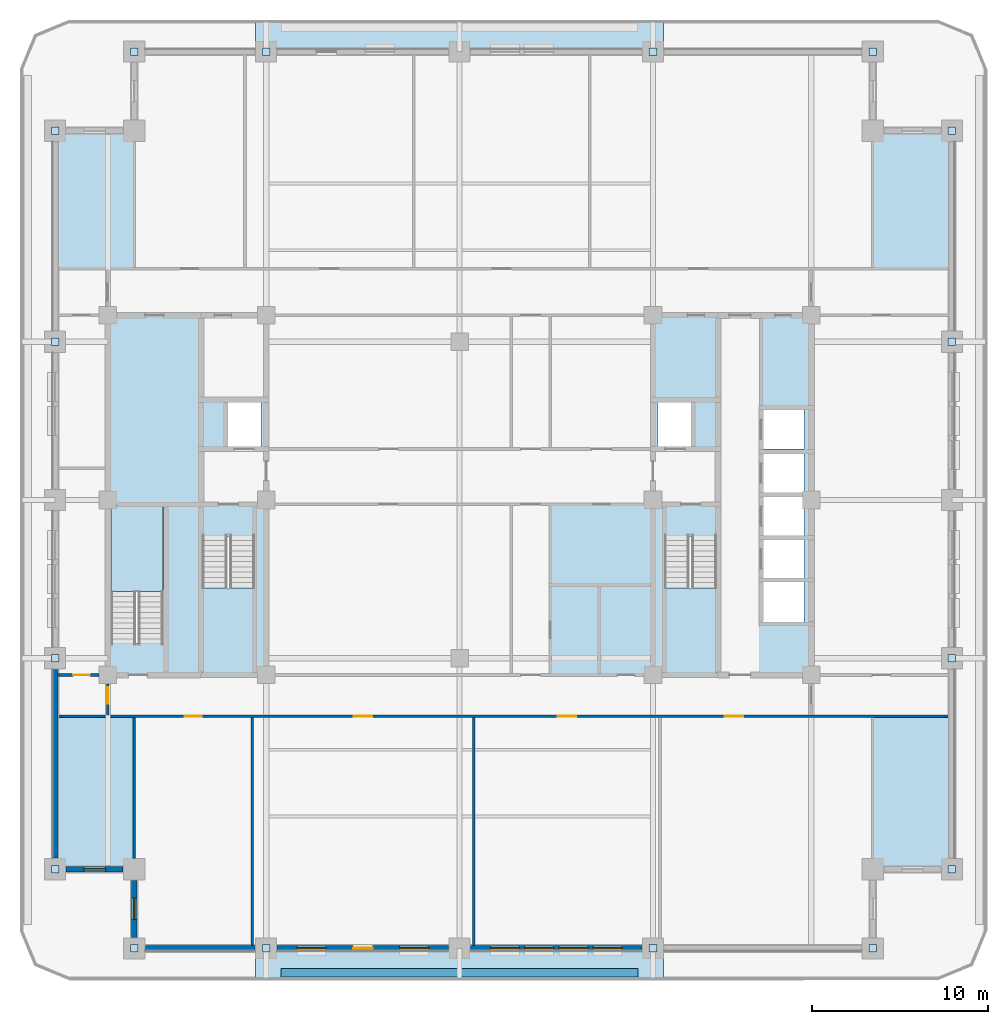
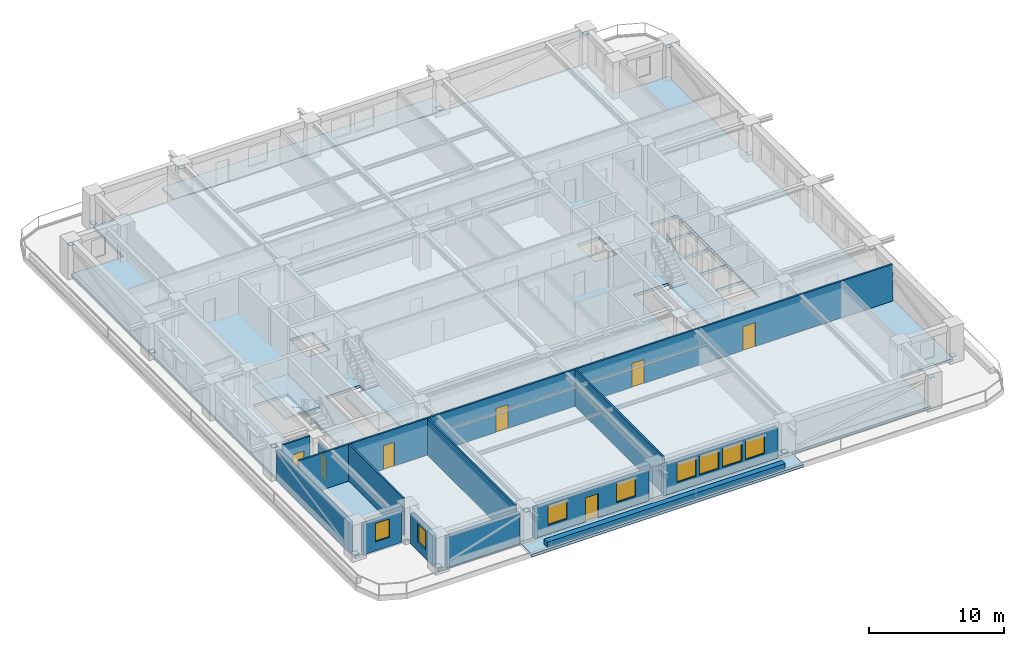
# One storey, part 2 of 13: 16 plates, 13 walls, 8 windows, 7 doors, 6 slabs, 15 openings, 3 elements without a shape of their own.
"""IFC4 building model written with IfcOpenShell, lengths in metres."""

from ifc_helpers import new_model, si_unit, direction, frame, frame_2d, origin, origin_2d, place, context, subcontext, project, spatial, polyline, rectangle, outline, extrude, material, layer, layer_set, type_object, element, fill, aggregate, save


model = new_model("IFC4")

# Units and contexts
model_context = context("Model", 3, precision=1e-05, world=origin(), true_north=direction((0.0, 1.0)))
body_context = subcontext(model_context, "Body", "Model", "MODEL_VIEW")
ifc_project = project(units=[si_unit("LENGTHUNIT", "METRE"), si_unit("AREAUNIT", "SQUARE_METRE"), si_unit("VOLUMEUNIT", "CUBIC_METRE"), si_unit("PLANEANGLEUNIT", "RADIAN"), si_unit("MASSUNIT", "GRAM", prefix="KILO")], contexts=[model_context])

# Site, building, storey
site_placement = place(None, origin())
site = spatial("IfcSite", under=ifc_project, at=site_placement, CompositionType="ELEMENT")
building_placement = place(site_placement, origin())
building = spatial("IfcBuilding", under=site, at=building_placement, Name="Zulmaris Gate Convention Tower", CompositionType="ELEMENT")
storey_placement = place(building_placement, frame((0.0, 0.0, 105.639892578125)))
storey = spatial("IfcBuildingStorey", under=building, at=storey_placement, Name="L26", CompositionType="ELEMENT", Elevation=105.639892578125)

# Plates
ifc_material_1 = material(Name="Steel S460", Category="steel")
ifc_layer_1 = layer(ifc_material_1, 0.02490234375, Name="Steel S460")
ifc_layer_set_1 = layer_set([ifc_layer_1], Name="Steel S460")
plate_type = type_object("IfcPlateType", Name="NP-CAP-440", PredefinedType="USERDEFINED", material=ifc_layer_set_1)
for number, where, z_axis, x_axis, name in (
    (1, (-23.0, -21.0, 0.28759765625), (0.0, 0.0, 1.0), (1.0, 0.0, 0.0), "L26 Steel Node Plate PBR-L26-SW-W-CAP"),
    (2, (-23.0, -9.0, 2.687744140625), (0.0, 0.0, 1.0), (1.0, 0.0, 0.0), "L26 Steel Node Plate PBR-L26-SW-W-CAPB"),
    (3, (-23.0, 9.0, 0.28759765625), (0.0, 0.0, 1.0), (1.0, 0.0, 0.0), "L26 Steel Node Plate PBR-L26-NW-W-CAP"),
    (4, (-23.0, 21.0, 2.687744140625), (0.0, 0.0, 1.0), (1.0, 0.0, 0.0), "L26 Steel Node Plate PBR-L26-NW-W-CAPB"),
    (5, (28.0, -21.0, 0.28759765625), (0.0, 0.0, 1.0), (1.0, 0.0, 0.0), "L26 Steel Node Plate PBR-L26-SE-E-CAP"),
    (6, (28.0, -9.0, 2.687744140625), (0.0, 0.0, 1.0), (1.0, 0.0, 0.0), "L26 Steel Node Plate PBR-L26-SE-E-CAPB"),
    (7, (28.0, 9.0, 0.28759765625), (0.0, 0.0, 1.0), (1.0, 0.0, 0.0), "L26 Steel Node Plate PBR-L26-NE-E-CAP"),
    (8, (28.0, 21.0, 2.687744140625), (0.0, 0.0, 1.0), (1.0, 0.0, 0.0), "L26 Steel Node Plate PBR-L26-NE-E-CAPB"),
    (9, (-18.5, -25.5, 0.28759765625), (0.0, 0.0, 1.0), (1.0, 0.0, 0.0), "L26 Steel Node Plate PBR-L26-SW-S-CAP"),
    (10, (-11.0, -25.5, 2.687744140625), (0.0, 0.0, 1.0), (1.0, 0.0, 0.0), "L26 Steel Node Plate PBR-L26-SW-S-CAPB"),
    (11, (11.0, -25.5, 0.28759765625), (0.0, 0.0, 1.0), (1.0, 0.0, 0.0), "L26 Steel Node Plate PBR-L26-SE-S-CAP"),
    (12, (23.5, -25.5, 2.687744140625), (0.0, 0.0, 1.0), (1.0, 0.0, 0.0), "L26 Steel Node Plate PBR-L26-SE-S-CAPB"),
    (13, (-18.5, 25.5, 0.28759765625), (0.0, 0.0, 1.0), (1.0, 0.0, 0.0), "L26 Steel Node Plate PBR-L26-NW-N-CAP"),
    (14, (-11.0, 25.5, 2.687744140625), (0.0, 0.0, 1.0), (1.0, 0.0, 0.0), "L26 Steel Node Plate PBR-L26-NW-N-CAPB"),
    (15, (11.0, 25.5, 0.28759765625), (0.0, 0.0, 1.0), (1.0, 0.0, 0.0), "L26 Steel Node Plate PBR-L26-NE-N-CAP"),
    (16, (23.5, 25.5, 2.687744140625), (0.0, 0.0, 1.0), (1.0, 0.0, 0.0), "L26 Steel Node Plate PBR-L26-NE-N-CAPB"),
):
    element("IfcPlate", number, at=place(storey_placement, frame(where, z_axis=z_axis, x_axis=x_axis)), inside=storey, type_object=plate_type, Name=name, ObjectType="FLANGE PLATE", PredefinedType="USERDEFINED", context=body_context, shape_type="SweptSolid", body=[
        extrude(rectangle(XDim=0.43994140625, YDim=0.43994140625, at=origin_2d()), origin(), (0.0, 0.0, 1.0), 0.02490234375),
    ])

# Slabs
ifc_material_2 = material(Name="Precast concrete C50/60", Category="concrete")
ifc_layer_2 = layer(ifc_material_2, 0.260009765625, Name="Precast concrete C50/60")
ifc_layer_set_2 = layer_set([ifc_layer_2], Name="Precast concrete C50/60")
slab_type_1 = type_object("IfcSlabType", Name="SL-BAL-260", PredefinedType="FLOOR", material=ifc_layer_set_2)
slab_1_placement = place(storey_placement, frame((0.0, 0.0, -0.25)))
element("IfcSlab", 17, at=slab_1_placement, inside=storey, type_object=slab_type_1, Name="L26 South Tree-Balcony Planter Slab", PredefinedType="FLOOR", context=body_context, shape_type="SweptSolid", body=[
    extrude(outline(polyline([(-11.597900390625, -27.300048828125), (-11.597900390625, -25.5), (11.597900390625, -25.5), (11.597900390625, -27.300048828125), (-11.597900390625, -27.300048828125)])), origin(), (0.0, 0.0, 1.0), 0.260009765625),
])
slab_2_placement = place(storey_placement, frame((0.0, 0.0, -0.25)))
element("IfcSlab", 18, at=slab_2_placement, inside=storey, type_object=slab_type_1, Name="L26 North Tree-Balcony Planter Slab", PredefinedType="FLOOR", context=body_context, shape_type="SweptSolid", body=[
    extrude(outline(polyline([(11.597900390625, 27.300048828125), (11.597900390625, 25.5), (-11.597900390625, 25.5), (-11.597900390625, 27.300048828125), (11.597900390625, 27.300048828125)])), origin(), (0.0, 0.0, 1.0), 0.260009765625),
])
ifc_material_3 = material(Name="Concrete C50/60", Category="concrete")
ifc_layer_3 = layer(ifc_material_3, 0.25, Name="Concrete C50/60")
ifc_layer_set_3 = layer_set([ifc_layer_3], Name="Concrete C50/60")
slab_type_2 = type_object("IfcSlabType", Name="SL-FLR-250", PredefinedType="FLOOR", material=ifc_layer_set_3)
slab_3_placement = place(storey_placement, frame((0.0, 0.0, -0.25)))
element("IfcSlab", 19, at=slab_3_placement, inside=storey, type_object=slab_type_2, Name="L26 Shifted Notched-Square Structural Floor Slab", PredefinedType="FLOOR", context=body_context, shape_type="SweptSolid", body=[
    extrude(outline(polyline([(-18.5, -25.5), (23.5, -25.5), (23.5, -21.0), (28.0, -21.0), (28.0, 21.0), (23.5, 21.0), (23.5, 25.5), (-18.5, 25.5), (-18.5, 21.0), (-23.0, 21.0), (-23.0, -21.0), (-18.5, -21.0), (-18.5, -25.5)]), holes=[polyline([(-14.6201171875, -2.080078125), (-14.6201171875, -9.85009765625), (-11.659912109375, -9.85009765625), (-11.659912109375, -2.080078125), (-14.6201171875, -2.080078125)]), polyline([(11.659912109375, -2.080078125), (11.659912109375, -9.85009765625), (14.6201171875, -9.85009765625), (14.6201171875, -2.080078125), (11.659912109375, -2.080078125)]), polyline([(-16.860107421875, -8.1201171875), (-16.860107421875, -0.35009765625), (-19.820068359375, -0.35009765625), (-19.820068359375, -8.1201171875), (-16.860107421875, -8.1201171875)]), polyline([(-13.199951171875, 3.0), (-11.300048828125, 3.0), (-11.300048828125, 5.60009765625), (-13.199951171875, 5.60009765625), (-13.199951171875, 3.0)]), polyline([(11.300048828125, 3.0), (13.199951171875, 3.0), (13.199951171875, 5.60009765625), (11.300048828125, 5.60009765625), (11.300048828125, 3.0)]), polyline([(17.199951171875, -7.0), (19.60009765625, -7.0), (19.60009765625, -4.60009765625), (17.199951171875, -4.60009765625), (17.199951171875, -7.0)]), polyline([(17.300048828125, -4.5), (19.60009765625, -4.5), (19.60009765625, -2.199951171875), (17.300048828125, -2.199951171875), (17.300048828125, -4.5)]), polyline([(17.300048828125, -2.10009765625), (19.60009765625, -2.10009765625), (19.60009765625, 0.199951171875), (17.300048828125, 0.199951171875), (17.300048828125, -2.10009765625)]), polyline([(17.300048828125, 0.39990234375), (19.60009765625, 0.39990234375), (19.60009765625, 2.699951171875), (17.300048828125, 2.699951171875), (17.300048828125, 0.39990234375)]), polyline([(17.300048828125, 2.89990234375), (19.60009765625, 2.89990234375), (19.60009765625, 5.199951171875), (17.300048828125, 5.199951171875), (17.300048828125, 2.89990234375)])]), origin(), (0.0, 0.0, 1.0), 0.25),
])

# Stair, slab
ifc_material_4 = material(Name="Concrete C45/55", Category="concrete")
stair_type = type_object("IfcStairType", Name="ST-CORE-DOGLEG", PredefinedType="HALF_TURN_STAIR", material=ifc_material_4)
stair_1_placement = place(storey_placement, origin())
stair_1 = element("IfcStair", 20, at=stair_1_placement, inside=storey, type_object=stair_type, Name="L26 Core Exit Stair ST-1", PredefinedType="HALF_TURN_STAIR")
ifc_layer_4 = layer(ifc_material_4, 0.199951171875, Name="Concrete C45/55")
ifc_layer_set_4 = layer_set([ifc_layer_4], Name="Concrete C45/55")
slab_type_3 = type_object("IfcSlabType", Name="SL-LND-200", PredefinedType="LANDING", material=ifc_layer_set_4)
slab_4_placement = place(storey_placement, frame((0.0, 0.0, 1.5849609375)))
slab_4 = element("IfcSlab", 21, at=slab_4_placement, type_object=slab_type_3, Name="ST-1 landing 1", PredefinedType="LANDING", context=body_context, shape_type="SweptSolid", body=[
    extrude(outline(polyline([(-14.6201171875, -5.0), (-14.6201171875, -9.85009765625), (-11.659912109375, -9.85009765625), (-11.659912109375, -5.0), (-14.6201171875, -5.0)])), origin(), (0.0, 0.0, 1.0), 0.2001953125),
])
aggregate(stair_1, [slab_4])

stair_2_placement = place(storey_placement, origin())
stair_2 = element("IfcStair", 22, at=stair_2_placement, inside=storey, type_object=stair_type, Name="L26 Core Exit Stair ST-2", PredefinedType="HALF_TURN_STAIR")
slab_5_placement = place(storey_placement, frame((0.0, 0.0, 1.5849609375)))
slab_5 = element("IfcSlab", 23, at=slab_5_placement, type_object=slab_type_3, Name="ST-2 landing 1", PredefinedType="LANDING", context=body_context, shape_type="SweptSolid", body=[
    extrude(outline(polyline([(11.659912109375, -5.0), (11.659912109375, -9.85009765625), (14.6201171875, -9.85009765625), (14.6201171875, -5.0), (11.659912109375, -5.0)])), origin(), (0.0, 0.0, 1.0), 0.2001953125),
])
aggregate(stair_2, [slab_5])

stair_3_placement = place(storey_placement, origin())
stair_3 = element("IfcStair", 24, at=stair_3_placement, inside=storey, type_object=stair_type, Name="L26 Core Exit Stair ST-3", PredefinedType="HALF_TURN_STAIR")
slab_6_placement = place(storey_placement, frame((0.0, 0.0, 1.5849609375)))
slab_6 = element("IfcSlab", 25, at=slab_6_placement, type_object=slab_type_3, Name="ST-3 landing 1", PredefinedType="LANDING", context=body_context, shape_type="SweptSolid", body=[
    extrude(outline(polyline([(-16.860107421875, -5.199951171875), (-16.860107421875, -0.35009765625), (-19.820068359375, -0.35009765625), (-19.820068359375, -5.199951171875), (-16.860107421875, -5.199951171875)])), origin(), (0.0, 0.0, 1.0), 0.2001953125),
])
aggregate(stair_3, [slab_6])

# Wall, openings, doors
ifc_material_5 = material(Name="Gypsum Metal Stud Partition")
ifc_layer_5 = layer(ifc_material_5, 0.14990234375, Name="Gypsum Metal Stud Partition")
ifc_layer_set_5 = layer_set([ifc_layer_5], Name="Gypsum Metal Stud Partition")
wall_type_1 = type_object("IfcWallType", Name="PART-150", PredefinedType="PARTITIONING", material=ifc_layer_set_5)
wall_1_placement = place(storey_placement, frame((-22.8349609375, -12.300048828125, 0.0), z_axis=(0.0, 0.0, 1.0), x_axis=(1.0, 0.0, 0.0)))
wall_1 = element("IfcWall", 26, at=wall_1_placement, inside=storey, type_object=wall_type_1, Name="WL-L26-021", PredefinedType="PARTITIONING", context=body_context, shape_type="SweptSolid", body=[
    extrude(rectangle(XDim=50.669921875, YDim=0.14990234375, at=frame_2d((25.3349609375, 0.0))), origin(), (0.0, 0.0, 1.0), 3.320068359375),
])
opening_1_placement = place(wall_1_placement, frame((7.2099609375, 0.0, 0.0)))
opening_1 = element("IfcOpeningElement", 27, at=opening_1_placement, cuts=wall_1, Name="Opening D-11", PredefinedType="OPENING", context=body_context, shape_type="SweptSolid", body=[
    extrude(rectangle(XDim=0.949951171875, YDim=2.14990234375, at=frame_2d((0.47509765625, 1.074951171875))), frame((0.0, 0.0849609375, 0.0), z_axis=(0.0, -1.0, 0.0), x_axis=(1.0, 0.0, 0.0)), (0.0, 0.0, 1.0), 0.169921875),
])
opening_2_placement = place(wall_1_placement, frame((16.81005859375, 0.0, 0.0)))
opening_2 = element("IfcOpeningElement", 28, at=opening_2_placement, cuts=wall_1, Name="Opening D-09", PredefinedType="OPENING", context=body_context, shape_type="SweptSolid", body=[
    extrude(rectangle(XDim=1.050048828125, YDim=2.14990234375, at=frame_2d((0.52490234375, 1.074951171875))), frame((0.0, 0.0849609375, 0.0), z_axis=(0.0, -1.0, 0.0), x_axis=(1.0, 0.0, 0.0)), (0.0, 0.0, 1.0), 0.169921875),
])
opening_3_placement = place(wall_1_placement, frame((28.409912109375, 0.0, 0.0)))
opening_3 = element("IfcOpeningElement", 29, at=opening_3_placement, cuts=wall_1, Name="Opening D-09", PredefinedType="OPENING", context=body_context, shape_type="SweptSolid", body=[
    extrude(rectangle(XDim=1.050048828125, YDim=2.14990234375, at=frame_2d((0.52490234375, 1.074951171875))), frame((0.0, 0.0849609375, 0.0), z_axis=(0.0, -1.0, 0.0), x_axis=(1.0, 0.0, 0.0)), (0.0, 0.0, 1.0), 0.169921875),
])
opening_4_placement = place(wall_1_placement, frame((37.909912109375, 0.0, 0.0)))
opening_4 = element("IfcOpeningElement", 30, at=opening_4_placement, cuts=wall_1, Name="Opening D-09", PredefinedType="OPENING", context=body_context, shape_type="SweptSolid", body=[
    extrude(rectangle(XDim=1.050048828125, YDim=2.14990234375, at=frame_2d((0.52490234375, 1.074951171875))), frame((0.0, 0.0849609375, 0.0), z_axis=(0.0, -1.0, 0.0), x_axis=(1.0, 0.0, 0.0)), (0.0, 0.0, 1.0), 0.169921875),
])
ifc_material_6 = material(Name="Fire-Rated Steel", Category="steel")
door_type_1 = type_object("IfcDoorType", Name="DR-1050-FD", OperationType="NOTDEFINED", PredefinedType="DOOR", material=ifc_material_6)
door_1_placement = place(opening_2_placement, origin())
door_1 = element("IfcDoor", 31, at=door_1_placement, inside=storey, type_object=door_type_1, Name="L26 Commercial Advisory Office Door 27", OperationType="SINGLE_SWING_RIGHT", OverallHeight=2.14990234375, OverallWidth=1.050048828125, PredefinedType="DOOR", context=body_context, shape_type="SweptSolid", body=[
    extrude(rectangle(XDim=1.050048828125, YDim=2.14990234375, at=frame_2d((0.52490234375, 1.074951171875))), frame((0.0, 0.02490234375, 0.0), z_axis=(0.0, -1.0, 0.0), x_axis=(1.0, 0.0, 0.0)), (0.0, 0.0, 1.0), 0.050048828125),
])
fill(opening_2, door_1)
door_2_placement = place(opening_3_placement, origin())
door_2 = element("IfcDoor", 32, at=door_2_placement, inside=storey, type_object=door_type_1, Name="L26 Regional Corporate Office Door 28", OperationType="SINGLE_SWING_LEFT", OverallHeight=2.14990234375, OverallWidth=1.050048828125, PredefinedType="DOOR", context=body_context, shape_type="SweptSolid", body=[
    extrude(rectangle(XDim=1.050048828125, YDim=2.14990234375, at=frame_2d((0.52490234375, 1.074951171875))), frame((0.0, 0.02490234375, 0.0), z_axis=(0.0, -1.0, 0.0), x_axis=(1.0, 0.0, 0.0)), (0.0, 0.0, 1.0), 0.050048828125),
])
fill(opening_3, door_2)
door_3_placement = place(opening_4_placement, origin())
door_3 = element("IfcDoor", 33, at=door_3_placement, inside=storey, type_object=door_type_1, Name="L26 Client Practice Studio Door 29", OperationType="SINGLE_SWING_RIGHT", OverallHeight=2.14990234375, OverallWidth=1.050048828125, PredefinedType="DOOR", context=body_context, shape_type="SweptSolid", body=[
    extrude(rectangle(XDim=1.050048828125, YDim=2.14990234375, at=frame_2d((0.52490234375, 1.074951171875))), frame((0.0, 0.02490234375, 0.0), z_axis=(0.0, -1.0, 0.0), x_axis=(1.0, 0.0, 0.0)), (0.0, 0.0, 1.0), 0.050048828125),
])
fill(opening_4, door_3)
ifc_material_7 = material(Name="Fire-Rated Timber", Category="wood")
door_type_2 = type_object("IfcDoorType", Name="DR-950-FD", OperationType="NOTDEFINED", PredefinedType="DOOR", material=ifc_material_7)
door_4_placement = place(opening_1_placement, origin())
door_4 = element("IfcDoor", 34, at=door_4_placement, inside=storey, type_object=door_type_2, Name="L26 Delegate Business Lounge Door 26", OperationType="SINGLE_SWING_LEFT", OverallHeight=2.14990234375, OverallWidth=0.949951171875, PredefinedType="DOOR", context=body_context, shape_type="SweptSolid", body=[
    extrude(rectangle(XDim=0.949951171875, YDim=2.14990234375, at=frame_2d((0.47509765625, 1.074951171875))), frame((0.0, 0.02490234375, 0.0), z_axis=(0.0, -1.0, 0.0), x_axis=(1.0, 0.0, 0.0)), (0.0, 0.0, 1.0), 0.050048828125),
])
fill(opening_1, door_4)

# Wall, opening, door
wall_2_placement = place(storey_placement, frame((-22.8349609375, -9.949951171875, 0.0), z_axis=(0.0, 0.0, 1.0), x_axis=(1.0, 0.0, 0.0)))
wall_2 = element("IfcWall", 35, at=wall_2_placement, inside=storey, type_object=wall_type_1, Name="WL-L26-022", PredefinedType="PARTITIONING", context=body_context, shape_type="SweptSolid", body=[
    extrude(rectangle(XDim=2.328857421875, YDim=0.14990234375, at=frame_2d((1.16455078125, 0.0))), origin(), (0.0, 0.0, 1.0), 3.320068359375),
])
opening_5_placement = place(wall_2_placement, frame((0.860107421875, 0.0, 0.0)))
opening_5 = element("IfcOpeningElement", 36, at=opening_5_placement, cuts=wall_2, Name="Opening D-11", PredefinedType="OPENING", context=body_context, shape_type="SweptSolid", body=[
    extrude(rectangle(XDim=0.949951171875, YDim=2.14990234375, at=frame_2d((0.47509765625, 1.074951171875))), frame((0.0, 0.0849609375, 0.0), z_axis=(0.0, -1.0, 0.0), x_axis=(1.0, 0.0, 0.0)), (0.0, 0.0, 1.0), 0.169921875),
])
door_5_placement = place(opening_5_placement, origin())
door_5 = element("IfcDoor", 37, at=door_5_placement, inside=storey, type_object=door_type_2, Name="L26 SW Partner Door 39", OperationType="SINGLE_SWING_RIGHT", OverallHeight=2.14990234375, OverallWidth=0.949951171875, PredefinedType="DOOR", context=body_context, shape_type="SweptSolid", body=[
    extrude(rectangle(XDim=0.949951171875, YDim=2.14990234375, at=frame_2d((0.47509765625, 1.074951171875))), frame((0.0, 0.02490234375, 0.0), z_axis=(0.0, -1.0, 0.0), x_axis=(1.0, 0.0, 0.0)), (0.0, 0.0, 1.0), 0.050048828125),
])
fill(opening_5, door_5)

wall_3_placement = place(storey_placement, frame((-20.0, -12.221923828125, 0.0), z_axis=(0.0, 0.0, 1.0), x_axis=(0.0, 1.0, 0.0)))
wall_3 = element("IfcWall", 38, at=wall_3_placement, inside=storey, type_object=wall_type_1, Name="WL-L26-068", PredefinedType="PARTITIONING", context=body_context, shape_type="SweptSolid", body=[
    extrude(rectangle(XDim=1.765869140625, YDim=0.14990234375, at=frame_2d((0.8828125, 0.0))), origin(), (0.0, 0.0, 1.0), 2.81005859375),
])
opening_6_placement = place(wall_3_placement, frame((0.626953125, 0.0, 0.0)))
opening_6 = element("IfcOpeningElement", 39, at=opening_6_placement, cuts=wall_3, Name="Opening D-11", PredefinedType="OPENING", context=body_context, shape_type="SweptSolid", body=[
    extrude(rectangle(XDim=0.949951171875, YDim=2.14990234375, at=frame_2d((0.47509765625, 1.074951171875))), frame((0.0, 0.0849609375, 0.0), z_axis=(0.0, -1.0, 0.0), x_axis=(1.0, 0.0, 0.0)), (0.0, 0.0, 1.0), 0.169921875),
])
door_6_placement = place(opening_6_placement, origin())
door_6 = element("IfcDoor", 40, at=door_6_placement, inside=storey, type_object=door_type_2, Name="L26 SW Spur Door 37", OperationType="SINGLE_SWING_RIGHT", OverallHeight=2.14990234375, OverallWidth=0.949951171875, PredefinedType="DOOR", context=body_context, shape_type="SweptSolid", body=[
    extrude(rectangle(XDim=0.949951171875, YDim=2.14990234375, at=frame_2d((0.47509765625, 1.074951171875))), frame((0.0, 0.02490234375, 0.0), z_axis=(0.0, -1.0, 0.0), x_axis=(1.0, 0.0, 0.0)), (0.0, 0.0, 1.0), 0.050048828125),
])
fill(opening_6, door_6)

# Walls
wall_4_placement = place(storey_placement, frame((-18.5, -20.39404296875, 0.0), z_axis=(0.0, 0.0, 1.0), x_axis=(0.0, 1.0, 0.0)))
element("IfcWall", 41, at=wall_4_placement, inside=storey, type_object=wall_type_1, Name="WL-L26-070", PredefinedType="PARTITIONING", context=body_context, shape_type="SweptSolid", body=[
    extrude(rectangle(XDim=8.01611328125, YDim=0.14990234375, at=frame_2d((4.008056640625, 0.0))), origin(), (0.0, 0.0, 1.0), 3.320068359375),
])
for number, where, z_axis, x_axis, name in (
    (42, (-11.800048828125, -25.3349609375, 0.0), (0.0, 0.0, 1.0), (0.0, 1.0, 0.0), "WL-L26-073"),
    (43, (0.800048828125, -25.3349609375, 0.0), (0.0, 0.0, 1.0), (0.0, 1.0, 0.0), "WL-L26-075"),
):
    element("IfcWall", number, at=place(storey_placement, frame(where, z_axis=z_axis, x_axis=x_axis)), inside=storey, type_object=wall_type_1, Name=name, PredefinedType="PARTITIONING", context=body_context, shape_type="SweptSolid", body=[
        extrude(rectangle(XDim=12.95703125, YDim=0.14990234375, at=frame_2d((6.478515625, 0.0))), origin(), (0.0, 0.0, 1.0), 3.320068359375),
    ])
ifc_material_8 = material(Name="Botanical Green Glazed Precast Concrete C40/50", Category="concrete")
ifc_layer_6 = layer(ifc_material_8, 0.419921875, Name="Botanical Green Glazed Precast Concrete C40/50")
ifc_layer_set_6 = layer_set([ifc_layer_6], Name="Botanical Green Glazed Precast Concrete C40/50")
wall_type_2 = type_object("IfcWallType", Name="PLANTER-CURB-200", PredefinedType="PARAPET", material=ifc_layer_set_6)
wall_5_placement = place(storey_placement, frame((-10.14990234375, -26.8798828125, -0.0400390625), z_axis=(0.0, 0.0, 1.0), x_axis=(1.0, 0.0, 0.0)))
element("IfcWall", 44, at=wall_5_placement, inside=storey, type_object=wall_type_2, Name="L26 Full-Length Balcony Tree Planter Trough", PredefinedType="PARAPET", context=body_context, shape_type="SweptSolid", body=[
    extrude(rectangle(XDim=20.2998046875, YDim=0.47998046875, at=frame_2d((10.14990234375, 0.0))), origin(), (0.0, 0.0, 1.0), 0.52001953125),
])

# Wall, opening, window
ifc_material_9 = material(Name="Precast concrete C40/50", Category="concrete")
ifc_layer_7 = layer(ifc_material_9, 0.300048828125, Name="Precast concrete C40/50")
ifc_layer_set_7 = layer_set([ifc_layer_7], Name="Precast concrete C40/50")
wall_type_3 = type_object("IfcWallType", Name="PRECAST-PIER-300", PredefinedType="STANDARD", material=ifc_layer_set_7)
wall_6_placement = place(storey_placement, frame((-22.3701171875, -21.0, 0.0), z_axis=(0.0, 0.0, 1.0), x_axis=(1.0, 0.0, 0.0)))
wall_6 = element("IfcWall", 45, at=wall_6_placement, inside=storey, type_object=wall_type_3, Name="EW-L26-NOTCH-SW1_0", PredefinedType="STANDARD", context=body_context, shape_type="SweptSolid", body=[
    extrude(rectangle(XDim=3.240234375, YDim=0.300048828125, at=frame_2d((1.6201171875, 0.0))), origin(), (0.0, 0.0, 1.0), 2.712158203125),
])
opening_7_placement = place(wall_6_placement, frame((1.02001953125, 0.0, 0.820068359375)))
opening_7 = element("IfcOpeningElement", 46, at=opening_7_placement, cuts=wall_6, Name="Opening W-04", PredefinedType="OPENING", context=body_context, shape_type="SweptSolid", body=[
    extrude(rectangle(XDim=1.199951171875, YDim=1.64990234375, at=frame_2d((0.60009765625, 0.824951171875))), frame((0.0, 0.16015625, 0.0), z_axis=(0.0, -1.0, 0.0), x_axis=(1.0, 0.0, 0.0)), (0.0, 0.0, 1.0), 0.320068359375),
])
ifc_material_10 = material(Name="Low-E Laminated Double Glazing in Aluminium Frame", Category="aluminium")
window_type_1 = type_object("IfcWindowType", Name="WIN-1200x2100", PartitioningType="SINGLE_PANEL", PredefinedType="WINDOW", material=ifc_material_10)
window_1_placement = place(opening_7_placement, origin())
window_1 = element("IfcWindow", 47, at=window_1_placement, inside=storey, type_object=window_type_1, Name="WN-EW-L26-NOTCH-SW1_0", OverallHeight=1.64990234375, OverallWidth=1.199951171875, PartitioningType="SINGLE_PANEL", PredefinedType="WINDOW", context=body_context, shape_type="SweptSolid", body=[
    extrude(rectangle(XDim=1.199951171875, YDim=1.64990234375, at=frame_2d((0.60009765625, 0.824951171875))), frame((0.0, 0.030029296875, 0.0), z_axis=(0.0, -1.0, 0.0), x_axis=(1.0, 0.0, 0.0)), (0.0, 0.0, 1.0), 0.06005859375),
])
fill(opening_7, window_1)

wall_7_placement = place(storey_placement, frame((-18.5, -21.6298828125, 0.0), z_axis=(0.0, 0.0, 1.0), x_axis=(0.0, -1.0, 0.0)))
wall_7 = element("IfcWall", 48, at=wall_7_placement, inside=storey, type_object=wall_type_3, Name="EW-L26-NOTCH-SW2_0", PredefinedType="STANDARD", context=body_context, shape_type="SweptSolid", body=[
    extrude(rectangle(XDim=3.240234375, YDim=0.300048828125, at=frame_2d((1.6201171875, 0.0))), origin(), (0.0, 0.0, 1.0), 2.712158203125),
])
opening_8_placement = place(wall_7_placement, frame((1.02001953125, 0.0, 0.820068359375)))
opening_8 = element("IfcOpeningElement", 49, at=opening_8_placement, cuts=wall_7, Name="Opening W-04", PredefinedType="OPENING", context=body_context, shape_type="SweptSolid", body=[
    extrude(rectangle(XDim=1.199951171875, YDim=1.64990234375, at=frame_2d((0.60009765625, 0.824951171875))), frame((0.0, 0.16015625, 0.0), z_axis=(0.0, -1.0, 0.0), x_axis=(1.0, 0.0, 0.0)), (0.0, 0.0, 1.0), 0.320068359375),
])
window_2_placement = place(opening_8_placement, origin())
window_2 = element("IfcWindow", 50, at=window_2_placement, inside=storey, type_object=window_type_1, Name="WN-EW-L26-NOTCH-SW2_0", OverallHeight=1.64990234375, OverallWidth=1.199951171875, PartitioningType="SINGLE_PANEL", PredefinedType="WINDOW", context=body_context, shape_type="SweptSolid", body=[
    extrude(rectangle(XDim=1.199951171875, YDim=1.64990234375, at=frame_2d((0.60009765625, 0.824951171875))), frame((0.0, 0.030029296875, 0.0), z_axis=(0.0, -1.0, 0.0), x_axis=(1.0, 0.0, 0.0)), (0.0, 0.0, 1.0), 0.06005859375),
])
fill(opening_8, window_2)

# Wall
wall_8_placement = place(storey_placement, frame((-17.8701171875, -25.5, 0.0), z_axis=(0.0, 0.0, 1.0), x_axis=(1.0, 0.0, 0.0)))
element("IfcWall", 51, at=wall_8_placement, inside=storey, type_object=wall_type_3, Name="EW-L26-S-0_0", PredefinedType="STANDARD", context=body_context, shape_type="SweptSolid", body=[
    extrude(rectangle(XDim=6.240234375, YDim=0.300048828125, at=frame_2d((3.1201171875, 0.0))), origin(), (0.0, 0.0, 1.0), 2.712158203125),
])

# Wall, openings, door, windows
wall_9_placement = place(storey_placement, frame((-10.3701171875, -25.5, 0.0), z_axis=(0.0, 0.0, 1.0), x_axis=(1.0, 0.0, 0.0)))
wall_9 = element("IfcWall", 52, at=wall_9_placement, inside=storey, type_object=wall_type_3, Name="EW-L26-S-1_0", PredefinedType="STANDARD", context=body_context, shape_type="SweptSolid", body=[
    extrude(rectangle(XDim=9.740234375, YDim=0.300048828125, at=frame_2d((4.8701171875, 0.0))), origin(), (0.0, 0.0, 1.0), 2.712158203125),
])
opening_9_placement = place(wall_9_placement, frame((4.320068359375, 0.0, 0.0)))
opening_9 = element("IfcOpeningElement", 53, at=opening_9_placement, cuts=wall_9, Name="Opening D-04", PredefinedType="OPENING", context=body_context, shape_type="SweptSolid", body=[
    extrude(rectangle(XDim=1.10009765625, YDim=2.14990234375, at=frame_2d((0.550048828125, 1.074951171875))), frame((0.0, 0.16015625, 0.0), z_axis=(0.0, -1.0, 0.0), x_axis=(1.0, 0.0, 0.0)), (0.0, 0.0, 1.0), 0.320068359375),
])
opening_10_placement = place(wall_9_placement, frame((1.123046875, 0.0, 0.800048828125)))
opening_10 = element("IfcOpeningElement", 54, at=opening_10_placement, cuts=wall_9, Name="Opening W-08", PredefinedType="OPENING", context=body_context, shape_type="SweptSolid", body=[
    extrude(rectangle(XDim=1.64990234375, YDim=1.699951171875, at=frame_2d((0.824951171875, 0.85009765625))), frame((0.0, 0.16015625, 0.0), z_axis=(0.0, -1.0, 0.0), x_axis=(1.0, 0.0, 0.0)), (0.0, 0.0, 1.0), 0.320068359375),
])
opening_11_placement = place(wall_9_placement, frame((6.967041015625, 0.0, 0.800048828125)))
opening_11 = element("IfcOpeningElement", 55, at=opening_11_placement, cuts=wall_9, Name="Opening W-08", PredefinedType="OPENING", context=body_context, shape_type="SweptSolid", body=[
    extrude(rectangle(XDim=1.64990234375, YDim=1.699951171875, at=frame_2d((0.824951171875, 0.85009765625))), frame((0.0, 0.16015625, 0.0), z_axis=(0.0, -1.0, 0.0), x_axis=(1.0, 0.0, 0.0)), (0.0, 0.0, 1.0), 0.320068359375),
])
ifc_material_11 = material(Name="Anodised Aluminium and Laminated Glass", Category="aluminium")
door_type_3 = type_object("IfcDoorType", Name="ED-1100", OperationType="SINGLE_SWING_RIGHT", PredefinedType="DOOR", material=ifc_material_11)
door_7_placement = place(opening_9_placement, origin())
door_7 = element("IfcDoor", 56, at=door_7_placement, inside=storey, type_object=door_type_3, Name="L26 S Planted Terrace Door", OperationType="SINGLE_SWING_RIGHT", OverallHeight=2.14990234375, OverallWidth=1.10009765625, PredefinedType="DOOR", context=body_context, shape_type="SweptSolid", body=[
    extrude(rectangle(XDim=1.10009765625, YDim=2.14990234375, at=frame_2d((0.550048828125, 1.074951171875))), frame((0.0, 0.02490234375, 0.0), z_axis=(0.0, -1.0, 0.0), x_axis=(1.0, 0.0, 0.0)), (0.0, 0.0, 1.0), 0.050048828125),
])
fill(opening_9, door_7)
window_type_2 = type_object("IfcWindowType", Name="WIN-1650x2150", PartitioningType="SINGLE_PANEL", PredefinedType="WINDOW", material=ifc_material_10)
window_3_placement = place(opening_10_placement, origin())
window_3 = element("IfcWindow", 57, at=window_3_placement, inside=storey, type_object=window_type_2, Name="WN-EW-L26-S-1_0-1", OverallHeight=1.699951171875, OverallWidth=1.64990234375, PartitioningType="SINGLE_PANEL", PredefinedType="WINDOW", context=body_context, shape_type="SweptSolid", body=[
    extrude(rectangle(XDim=1.64990234375, YDim=1.699951171875, at=frame_2d((0.824951171875, 0.85009765625))), frame((0.0, 0.030029296875, 0.0), z_axis=(0.0, -1.0, 0.0), x_axis=(1.0, 0.0, 0.0)), (0.0, 0.0, 1.0), 0.06005859375),
])
fill(opening_10, window_3)
window_4_placement = place(opening_11_placement, origin())
window_4 = element("IfcWindow", 58, at=window_4_placement, inside=storey, type_object=window_type_2, Name="WN-EW-L26-S-1_0-4", OverallHeight=1.699951171875, OverallWidth=1.64990234375, PartitioningType="SINGLE_PANEL", PredefinedType="WINDOW", context=body_context, shape_type="SweptSolid", body=[
    extrude(rectangle(XDim=1.64990234375, YDim=1.699951171875, at=frame_2d((0.824951171875, 0.85009765625))), frame((0.0, 0.030029296875, 0.0), z_axis=(0.0, -1.0, 0.0), x_axis=(1.0, 0.0, 0.0)), (0.0, 0.0, 1.0), 0.06005859375),
])
fill(opening_11, window_4)

# Wall, openings, windows
wall_10_placement = place(storey_placement, frame((0.6298828125, -25.5, 0.0), z_axis=(0.0, 0.0, 1.0), x_axis=(1.0, 0.0, 0.0)))
wall_10 = element("IfcWall", 59, at=wall_10_placement, inside=storey, type_object=wall_type_3, Name="EW-L26-S-2_0", PredefinedType="STANDARD", context=body_context, shape_type="SweptSolid", body=[
    extrude(rectangle(XDim=9.740234375, YDim=0.300048828125, at=frame_2d((4.8701171875, 0.0))), origin(), (0.0, 0.0, 1.0), 2.712158203125),
])
opening_12_placement = place(wall_10_placement, frame((1.123046875, 0.0, 0.800048828125)))
opening_12 = element("IfcOpeningElement", 60, at=opening_12_placement, cuts=wall_10, Name="Opening W-08", PredefinedType="OPENING", context=body_context, shape_type="SweptSolid", body=[
    extrude(rectangle(XDim=1.64990234375, YDim=1.699951171875, at=frame_2d((0.824951171875, 0.85009765625))), frame((0.0, 0.16015625, 0.0), z_axis=(0.0, -1.0, 0.0), x_axis=(1.0, 0.0, 0.0)), (0.0, 0.0, 1.0), 0.320068359375),
])
opening_13_placement = place(wall_10_placement, frame((3.071044921875, 0.0, 0.800048828125)))
opening_13 = element("IfcOpeningElement", 61, at=opening_13_placement, cuts=wall_10, Name="Opening W-08", PredefinedType="OPENING", context=body_context, shape_type="SweptSolid", body=[
    extrude(rectangle(XDim=1.64990234375, YDim=1.699951171875, at=frame_2d((0.824951171875, 0.85009765625))), frame((0.0, 0.16015625, 0.0), z_axis=(0.0, -1.0, 0.0), x_axis=(1.0, 0.0, 0.0)), (0.0, 0.0, 1.0), 0.320068359375),
])
opening_14_placement = place(wall_10_placement, frame((5.01904296875, 0.0, 0.800048828125)))
opening_14 = element("IfcOpeningElement", 62, at=opening_14_placement, cuts=wall_10, Name="Opening W-08", PredefinedType="OPENING", context=body_context, shape_type="SweptSolid", body=[
    extrude(rectangle(XDim=1.64990234375, YDim=1.699951171875, at=frame_2d((0.824951171875, 0.85009765625))), frame((0.0, 0.16015625, 0.0), z_axis=(0.0, -1.0, 0.0), x_axis=(1.0, 0.0, 0.0)), (0.0, 0.0, 1.0), 0.320068359375),
])
opening_15_placement = place(wall_10_placement, frame((6.967041015625, 0.0, 0.800048828125)))
opening_15 = element("IfcOpeningElement", 63, at=opening_15_placement, cuts=wall_10, Name="Opening W-08", PredefinedType="OPENING", context=body_context, shape_type="SweptSolid", body=[
    extrude(rectangle(XDim=1.64990234375, YDim=1.699951171875, at=frame_2d((0.824951171875, 0.85009765625))), frame((0.0, 0.16015625, 0.0), z_axis=(0.0, -1.0, 0.0), x_axis=(1.0, 0.0, 0.0)), (0.0, 0.0, 1.0), 0.320068359375),
])
window_5_placement = place(opening_12_placement, origin())
window_5 = element("IfcWindow", 64, at=window_5_placement, inside=storey, type_object=window_type_2, Name="WN-EW-L26-S-2_0-1", OverallHeight=1.699951171875, OverallWidth=1.64990234375, PartitioningType="SINGLE_PANEL", PredefinedType="WINDOW", context=body_context, shape_type="SweptSolid", body=[
    extrude(rectangle(XDim=1.64990234375, YDim=1.699951171875, at=frame_2d((0.824951171875, 0.85009765625))), frame((0.0, 0.030029296875, 0.0), z_axis=(0.0, -1.0, 0.0), x_axis=(1.0, 0.0, 0.0)), (0.0, 0.0, 1.0), 0.06005859375),
])
fill(opening_12, window_5)
window_6_placement = place(opening_13_placement, origin())
window_6 = element("IfcWindow", 65, at=window_6_placement, inside=storey, type_object=window_type_2, Name="WN-EW-L26-S-2_0-2", OverallHeight=1.699951171875, OverallWidth=1.64990234375, PartitioningType="SINGLE_PANEL", PredefinedType="WINDOW", context=body_context, shape_type="SweptSolid", body=[
    extrude(rectangle(XDim=1.64990234375, YDim=1.699951171875, at=frame_2d((0.824951171875, 0.85009765625))), frame((0.0, 0.030029296875, 0.0), z_axis=(0.0, -1.0, 0.0), x_axis=(1.0, 0.0, 0.0)), (0.0, 0.0, 1.0), 0.06005859375),
])
fill(opening_13, window_6)
window_7_placement = place(opening_14_placement, origin())
window_7 = element("IfcWindow", 66, at=window_7_placement, inside=storey, type_object=window_type_2, Name="WN-EW-L26-S-2_0-3", OverallHeight=1.699951171875, OverallWidth=1.64990234375, PartitioningType="SINGLE_PANEL", PredefinedType="WINDOW", context=body_context, shape_type="SweptSolid", body=[
    extrude(rectangle(XDim=1.64990234375, YDim=1.699951171875, at=frame_2d((0.824951171875, 0.85009765625))), frame((0.0, 0.030029296875, 0.0), z_axis=(0.0, -1.0, 0.0), x_axis=(1.0, 0.0, 0.0)), (0.0, 0.0, 1.0), 0.06005859375),
])
fill(opening_14, window_7)
window_8_placement = place(opening_15_placement, origin())
window_8 = element("IfcWindow", 67, at=window_8_placement, inside=storey, type_object=window_type_2, Name="WN-EW-L26-S-2_0-4", OverallHeight=1.699951171875, OverallWidth=1.64990234375, PartitioningType="SINGLE_PANEL", PredefinedType="WINDOW", context=body_context, shape_type="SweptSolid", body=[
    extrude(rectangle(XDim=1.64990234375, YDim=1.699951171875, at=frame_2d((0.824951171875, 0.85009765625))), frame((0.0, 0.030029296875, 0.0), z_axis=(0.0, -1.0, 0.0), x_axis=(1.0, 0.0, 0.0)), (0.0, 0.0, 1.0), 0.06005859375),
])
fill(opening_15, window_8)

# Wall
wall_11_placement = place(storey_placement, frame((-23.0, -9.6298828125, 0.0), z_axis=(0.0, 0.0, 1.0), x_axis=(0.0, -1.0, 0.0)))
element("IfcWall", 68, at=wall_11_placement, inside=storey, type_object=wall_type_3, Name="EW-L26-W-0_0", PredefinedType="STANDARD", context=body_context, shape_type="SweptSolid", body=[
    extrude(rectangle(XDim=10.740234375, YDim=0.300048828125, at=frame_2d((5.3701171875, 0.0))), origin(), (0.0, 0.0, 1.0), 2.712158203125),
])

save(model, "model.ifc")
